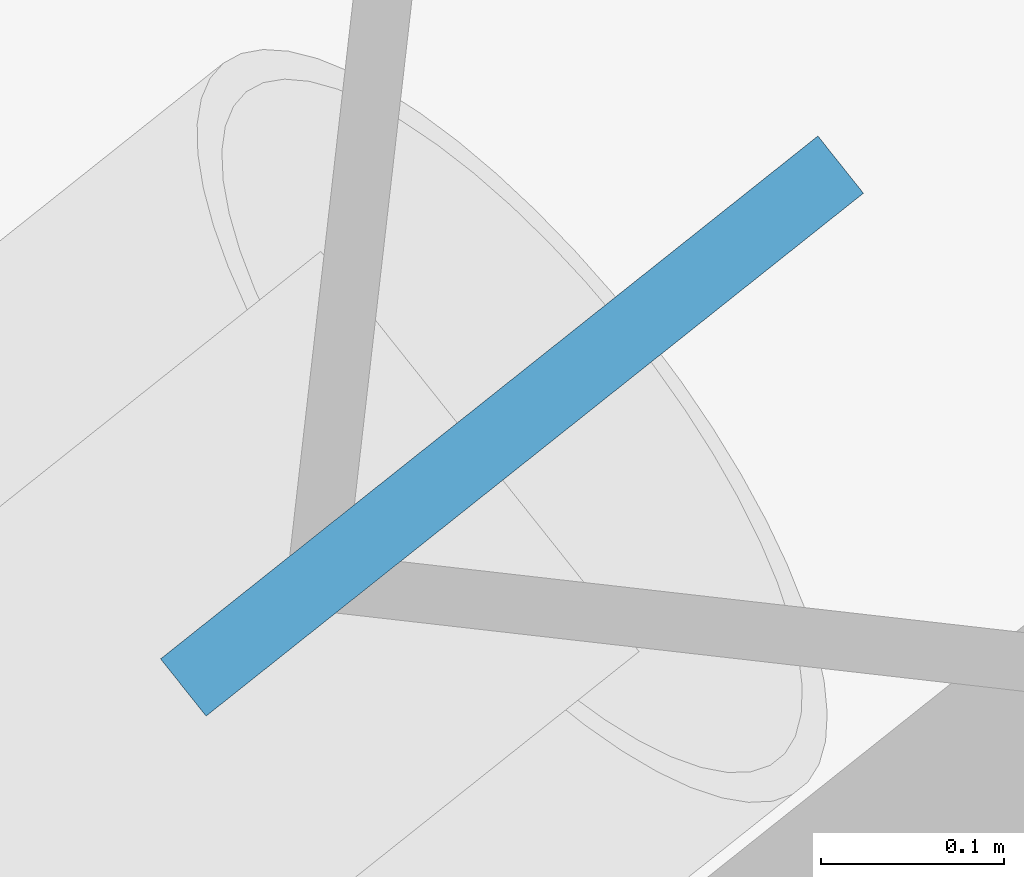
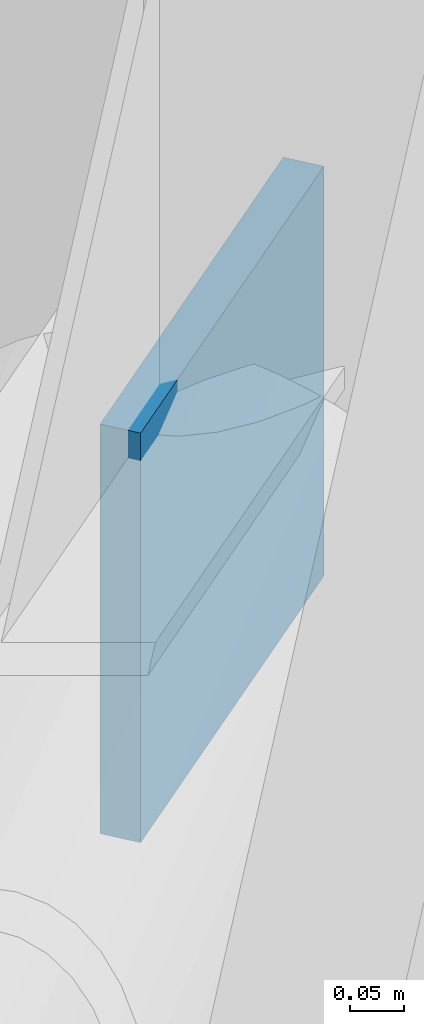
# One storey, part 16 of 19: 1 discrete accessory.
"""IFC4 building model written with IfcOpenShell, lengths in metres."""

from ifc_helpers import new_model, si_unit, direction, frame, origin, origin_2d, place, context, subcontext, project, spatial, rectangle, extrude, material, type_object, element, save


model = new_model("IFC4")

# Units and contexts
model_context = context("Model", 3, precision=1e-05, world=origin(), true_north=direction((0.0, 1.0)))
body_context = subcontext(model_context, "Body", "Model", "MODEL_VIEW")
ifc_project = project(units=[si_unit("LENGTHUNIT", "METRE"), si_unit("AREAUNIT", "SQUARE_METRE"), si_unit("VOLUMEUNIT", "CUBIC_METRE"), si_unit("PLANEANGLEUNIT", "RADIAN"), si_unit("MASSUNIT", "GRAM", prefix="KILO")], contexts=[model_context])

# Site, building, storey
site_placement = place(None, origin())
site = spatial("IfcSite", under=ifc_project, at=site_placement, CompositionType="ELEMENT")
building_placement = place(site_placement, origin())
building = spatial("IfcBuilding", under=site, at=building_placement, Name="Tavrogorsk Clinical Tower", CompositionType="ELEMENT")
storey_placement = place(building_placement, frame((0.0, 0.0, 97.39990234375)))
storey = spatial("IfcBuildingStorey", under=building, at=storey_placement, Name="L21", CompositionType="ELEMENT", Elevation=97.39990234375)

# Discrete accessory
ifc_material = material(Name="Structural steel S440", Category="steel")
discrete_accessory_type = type_object("IfcDiscreteAccessoryType", Name="GussetPlateBracket_25", PredefinedType="BRACKET", material=ifc_material)
discrete_accessory_placement = place(storey_placement, frame((-27.045654296875, 25.592041015625, 2.68505859375), z_axis=(0.0, 0.0, 1.0), x_axis=(0.782608156852, 0.622514636638, 0.0)))
element("IfcDiscreteAccessory", 1, at=discrete_accessory_placement, inside=storey, type_object=discrete_accessory_type, Name="L21 Brace Gusset Plate EXOCRN-L21-3-B", PredefinedType="BRACKET", context=body_context, shape_type="SweptSolid", body=[
    extrude(rectangle(XDim=0.4599609375, YDim=0.0400390625, at=origin_2d()), origin(), (0.0, 0.0, 1.0), 0.4599609375),
])

save(model, "model.ifc")
